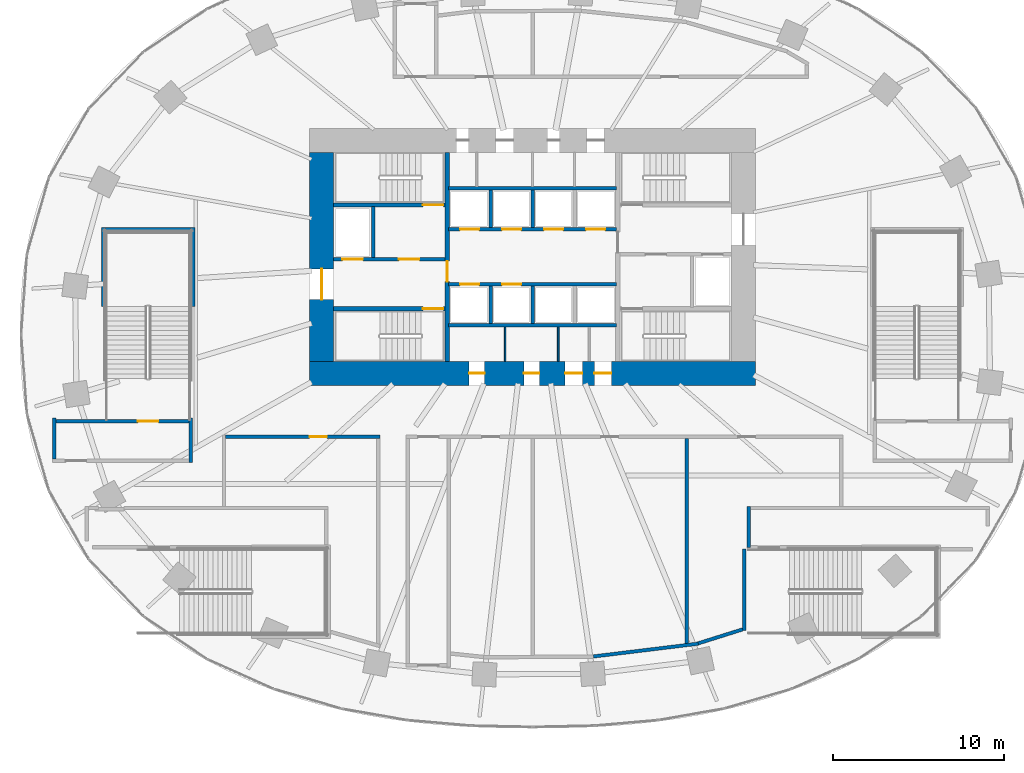
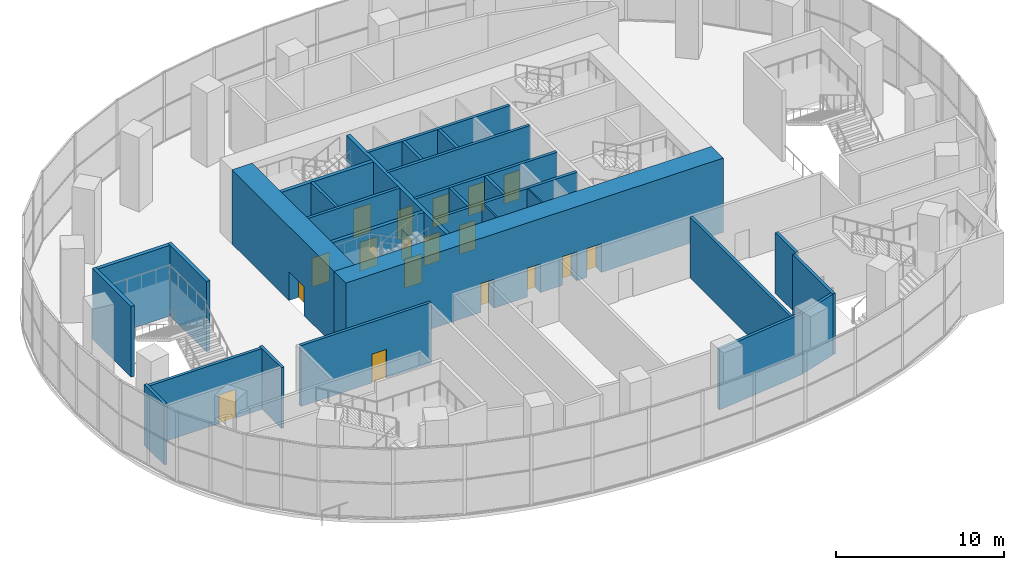
# One storey, part 12 of 20: 29 walls, 18 doors, 18 openings.
"""IFC4 building model written with IfcOpenShell, lengths in metres."""

import ifcopenshell
import ifcopenshell.guid

model = None  # the IFC model being written
_history = None  # IfcOwnerHistory: only IFC2X3 demands one
_inside = {}  # id of a spatial element -> (the spatial element, [elements in it])
_under = {}  # id of a project, library or spatial element -> (it, [spatial elements below it])
_declared = {}  # id of a project -> (the project, [libraries it declares])
_typed = {}  # id of a type object -> (the type object, [elements of that type])
_made_of = {}  # id of a material, layer set ... -> (it, [elements and type objects made of it])


def new_model(schema):
    """Start an empty IFC model of exactly this schema.

    Asked for "IFC4X3", IfcOpenShell would pick the latest addendum, in which some entities
    have other attributes; the version numbers below select the first issue.
    IFC2X3 requires an IfcOwnerHistory on every rooted entity: one is made here for all.
    """
    global model, _history
    if schema == "IFC4X3":
        model = ifcopenshell.file(schema_version=(4, 3, 0, 0))
    else:
        model = ifcopenshell.file(schema=schema)
    _inside.clear()
    _under.clear()
    _declared.clear()
    _typed.clear()
    _made_of.clear()
    _history = None
    if model.schema == "IFC2X3":
        org = make("IfcOrganization", Name="unknown")
        user = make(
            "IfcPersonAndOrganization",
            ThePerson=make("IfcPerson", FamilyName="unknown"),
            TheOrganization=org,
        )
        app = make(
            "IfcApplication",
            ApplicationDeveloper=org,
            Version="unknown",
            ApplicationFullName="unknown",
            ApplicationIdentifier="unknown",
        )
        _history = make(
            "IfcOwnerHistory",
            OwningUser=user,
            OwningApplication=app,
            ChangeAction="ADDED",
            CreationDate=0,
        )
    return model


def make(cls, **values):
    """One entity of the class cls with the attributes given. An attribute that is None is left unset."""
    return model.create_entity(
        cls, **{name: value for name, value in values.items() if value is not None}
    )


def rooted(cls, **values):
    """An entity with a GlobalId (a new one), such as an element, a storey or a relation."""
    return make(cls, GlobalId=ifcopenshell.guid.new(), OwnerHistory=_history, **values)


def si_unit(unit_type, name, prefix=None):
    """IfcSIUnit, for example si_unit("LENGTHUNIT", "METRE", prefix="MILLI")."""
    return make("IfcSIUnit", UnitType=unit_type, Prefix=prefix, Name=name)


def assignment(units):
    """IfcUnitAssignment: the units of a project."""
    return None if units is None else make("IfcUnitAssignment", Units=units)


def point(xyz):
    """IfcCartesianPoint."""
    return None if xyz is None else make("IfcCartesianPoint", Coordinates=xyz)


def direction(xyz):
    """IfcDirection."""
    return None if xyz is None else make("IfcDirection", DirectionRatios=xyz)


def frame(location, z_axis=None, x_axis=None):
    """IfcAxis2Placement3D, a coordinate frame: its origin and axes. An axis left out is left unset."""
    return make(
        "IfcAxis2Placement3D",
        Location=point(location),
        Axis=direction(z_axis),
        RefDirection=direction(x_axis),
    )


def frame_2d(location, x_axis=None):
    """IfcAxis2Placement2D, a coordinate frame in the plane: its origin and x axis."""
    return make(
        "IfcAxis2Placement2D", Location=point(location), RefDirection=direction(x_axis)
    )


def origin():
    """The frame at (0, 0, 0) with its axes left unset."""
    return frame((0.0, 0.0, 0.0))


def place(relative_to, where):
    """IfcLocalPlacement: puts the frame where relative to a parent placement (None: the world)."""
    return make(
        "IfcLocalPlacement", PlacementRelTo=relative_to, RelativePlacement=where
    )


def context(
    kind, dimensions, precision=None, world=None, true_north=None, identifier=None
):
    """IfcGeometricRepresentationContext, for example the 3D "Model" context."""
    return make(
        "IfcGeometricRepresentationContext",
        ContextIdentifier=identifier,
        ContextType=kind,
        CoordinateSpaceDimension=dimensions,
        Precision=precision,
        WorldCoordinateSystem=world,
        TrueNorth=true_north,
    )


def subcontext(parent, identifier, kind, view, scale=None):
    """IfcGeometricRepresentationSubContext, for example "Body" below "Model"."""
    return make(
        "IfcGeometricRepresentationSubContext",
        ContextIdentifier=identifier,
        ContextType=kind,
        ParentContext=parent,
        TargetScale=scale,
        TargetView=view,
    )


def project(units=None, contexts=None):
    """IfcProject with its units and contexts."""
    return rooted(
        "IfcProject",
        Name="project",
        RepresentationContexts=contexts,
        UnitsInContext=assignment(units),
    )


def spatial(cls, under=None, at=None, **own):
    """A site, building, storey or space (cls), placed at a placement, below another one or the project."""
    s = rooted(cls, ObjectPlacement=at, **own)
    if under is not None:
        _under.setdefault(under.id(), (under, []))[1].append(s)
    return s


def profile(cls, at=None, kind="AREA", **sizes):
    """A parametric profile (cls). Its sizes go by their IFC names, for example OverallWidth=200.0."""
    return make(cls, ProfileType=kind, Position=at, **sizes)


def rectangle(**sizes):
    """IfcRectangleProfileDef."""
    return profile("IfcRectangleProfileDef", **sizes)


def extrude(swept, where, along, depth):
    """IfcExtrudedAreaSolid: the profile swept, set in the frame where, extruded along a direction by depth."""
    return make(
        "IfcExtrudedAreaSolid",
        SweptArea=swept,
        Position=where,
        ExtrudedDirection=direction(along),
        Depth=depth,
    )


def shape(context_of_items, identifier, shape_type, items):
    """IfcShapeRepresentation: the items that make up one representation, for example the "Body"."""
    return make(
        "IfcShapeRepresentation",
        ContextOfItems=context_of_items,
        RepresentationIdentifier=identifier,
        RepresentationType=shape_type,
        Items=items,
    )


def material(Name=None, Category=None):
    """IfcMaterial."""
    return make("IfcMaterial", Name=Name, Category=Category)


def layer(
    of_material, thickness, ventilated=None, Name=None, Category=None, Priority=None
):
    """IfcMaterialLayer: one layer of a wall or slab, of a material (None: an air gap)."""
    return make(
        "IfcMaterialLayer",
        Material=of_material,
        LayerThickness=thickness,
        IsVentilated=ventilated,
        Name=Name,
        Category=Category,
        Priority=Priority,
    )


def layer_set(layers, Name=None):
    """IfcMaterialLayerSet."""
    return make("IfcMaterialLayerSet", MaterialLayers=layers, LayerSetName=Name)


def made_of(thing, what):
    """Note that an element or type object is made of a material, layer set ...; save() writes the relation."""
    if what is not None:
        _made_of.setdefault(what.id(), (what, []))[1].append(thing)
    return thing


def type_object(cls, material=None, **own):
    """A type object (cls), such as IfcWallType, which elements share."""
    return made_of(rooted(cls, **own), material)


def element(
    cls,
    number,
    at=None,
    inside=None,
    cuts=None,
    type_object=None,
    material=None,
    context=None,
    identifier="Body",
    shape_type=None,
    held_by="IfcProductDefinitionShape",
    body=None,
    shapes=None,
    **own,
):
    """One element of the class cls, such as IfcWall. Its Tag is "e" and its number.

    at: its placement. inside: the storey or other place that contains it. cuts: it is an
    opening in that element (IfcRelVoidsElement). A single representation is given by context,
    identifier, shape_type and body (its items); several are given by shapes. held_by: the class
    of the entity that holds the representations. save() writes the other relations.
    """
    e = rooted(cls, Tag="e%d" % number, ObjectPlacement=at, **own)
    if body is not None:
        shapes = [shape(context, identifier, shape_type, body)]
    if shapes is not None:
        e.Representation = make(held_by, Representations=shapes)
    if inside is not None:
        _inside.setdefault(inside.id(), (inside, []))[1].append(e)
    if cuts is not None:
        rooted(
            "IfcRelVoidsElement", RelatingBuildingElement=cuts, RelatedOpeningElement=e
        )
    if type_object is not None:
        _typed.setdefault(type_object.id(), (type_object, []))[1].append(e)
    return made_of(e, material)


def fill(opening, filler):
    """IfcRelFillsElement: the door or window that sits in an opening."""
    return rooted(
        "IfcRelFillsElement",
        RelatingOpeningElement=opening,
        RelatedBuildingElement=filler,
    )


def aggregate(whole, parts):
    """IfcRelAggregates: a whole, such as a stair, and the parts it consists of."""
    return rooted("IfcRelAggregates", RelatingObject=whole, RelatedObjects=parts)


def save(model, path):
    """Write the relations noted so far, then the file.

    IfcRelAggregates (storeys below a building ...), IfcRelContainedInSpatialStructure (elements
    in a storey), IfcRelDefinesByType, IfcRelAssociatesMaterial and IfcRelDeclares: one each for
    every whole, place, type object, material and project.
    """
    for whole, parts in _under.values():
        aggregate(whole, parts)
    for where, things in _inside.values():
        rooted(
            "IfcRelContainedInSpatialStructure",
            RelatedElements=things,
            RelatingStructure=where,
        )
    for kind, things in _typed.values():
        rooted("IfcRelDefinesByType", RelatedObjects=things, RelatingType=kind)
    for what, things in _made_of.values():
        rooted("IfcRelAssociatesMaterial", RelatedObjects=things, RelatingMaterial=what)
    for by, libraries in _declared.values():
        rooted("IfcRelDeclares", RelatingContext=by, RelatedDefinitions=libraries)
    model.write(path)


model = new_model("IFC4")

# Units and contexts
model_context = context("Model", 3, precision=1e-05, world=origin(), true_north=direction((0.0, 1.0)))
body_context = subcontext(model_context, "Body", "Model", "MODEL_VIEW")
ifc_project = project(units=[si_unit("LENGTHUNIT", "METRE"), si_unit("AREAUNIT", "SQUARE_METRE"), si_unit("VOLUMEUNIT", "CUBIC_METRE"), si_unit("PLANEANGLEUNIT", "RADIAN"), si_unit("MASSUNIT", "GRAM", prefix="KILO")], contexts=[model_context])

# Site, building, storey
site_placement = place(None, origin())
site = spatial("IfcSite", under=ifc_project, at=site_placement, CompositionType="ELEMENT")
building_placement = place(site_placement, origin())
building = spatial("IfcBuilding", under=site, at=building_placement, Name="Rubra Terraces Tower", CompositionType="ELEMENT")
storey_placement = place(building_placement, frame((0.0, 0.0, 22.800048828125)))
storey = spatial("IfcBuildingStorey", under=building, at=storey_placement, Name="L03", CompositionType="ELEMENT", Elevation=22.800048828125)

# Wall, openings, doors
ifc_material_1 = material(Name="Concrete C70", Category="concrete")
ifc_layer_1 = layer(ifc_material_1, 1.39990234375)
ifc_layer_set_1 = layer_set([ifc_layer_1], Name="Concrete C70")
wall_type_1 = type_object("IfcWallType", Name="CORE WALL 1400 C70", PredefinedType="SHEAR", material=ifc_layer_set_1)
wall_1_placement = place(storey_placement, frame((-13.0, -2.300048828125, 0.0), z_axis=(0.0, 0.0, 1.0), x_axis=(1.0, 0.0, 0.0)))
wall_1 = element("IfcWall", 1, at=wall_1_placement, inside=storey, type_object=wall_type_1, Name="CORE WALL S L03", PredefinedType="SHEAR", context=body_context, shape_type="SweptSolid", body=[
    extrude(rectangle(XDim=26.0, YDim=1.39990234375, at=frame_2d((13.0, 0.0))), origin(), (0.0, 0.0, 1.0), 5.39990234375),
])
opening_1_placement = place(wall_1_placement, frame((9.300048828125, 0.0, 0.0)))
opening_1 = element("IfcOpeningElement", 2, at=opening_1_placement, cuts=wall_1, Name="Opening L03.C19", PredefinedType="OPENING", context=body_context, shape_type="SweptSolid", body=[
    extrude(rectangle(XDim=0.89990234375, YDim=2.10009765625, at=frame_2d((0.449951171875, 1.050048828125))), frame((0.0, 0.7099609375, 0.0), z_axis=(0.0, -1.0, 0.0), x_axis=(1.0, 0.0, 0.0)), (0.0, 0.0, 1.0), 1.419921875),
])
opening_2_placement = place(wall_1_placement, frame((12.5, 0.0, 0.0)))
opening_2 = element("IfcOpeningElement", 3, at=opening_2_placement, cuts=wall_1, Name="Opening L03.C20", PredefinedType="OPENING", context=body_context, shape_type="SweptSolid", body=[
    extrude(rectangle(XDim=0.89990234375, YDim=2.10009765625, at=frame_2d((0.449951171875, 1.050048828125))), frame((0.0, 0.7099609375, 0.0), z_axis=(0.0, -1.0, 0.0), x_axis=(1.0, 0.0, 0.0)), (0.0, 0.0, 1.0), 1.419921875),
])
opening_3_placement = place(wall_1_placement, frame((14.89990234375, 0.0, 0.0)))
opening_3 = element("IfcOpeningElement", 4, at=opening_3_placement, cuts=wall_1, Name="Opening L03.C21", PredefinedType="OPENING", context=body_context, shape_type="SweptSolid", body=[
    extrude(rectangle(XDim=1.0, YDim=2.10009765625, at=frame_2d((0.5, 1.050048828125))), frame((0.0, 0.7099609375, 0.0), z_axis=(0.0, -1.0, 0.0), x_axis=(1.0, 0.0, 0.0)), (0.0, 0.0, 1.0), 1.419921875),
])
opening_4_placement = place(wall_1_placement, frame((16.60009765625, 0.0, 0.0)))
opening_4 = element("IfcOpeningElement", 5, at=opening_4_placement, cuts=wall_1, Name="Opening L03.C22", PredefinedType="OPENING", context=body_context, shape_type="SweptSolid", body=[
    extrude(rectangle(XDim=1.0, YDim=2.10009765625, at=frame_2d((0.5, 1.050048828125))), frame((0.0, 0.7099609375, 0.0), z_axis=(0.0, -1.0, 0.0), x_axis=(1.0, 0.0, 0.0)), (0.0, 0.0, 1.0), 1.419921875),
])
ifc_material_2 = material(Name="Painted steel", Category="steel")
door_type_1 = type_object("IfcDoorType", Name="Fire door 1000x2100 single", OperationType="NOTDEFINED", PredefinedType="DOOR", material=ifc_material_2)
door_1_placement = place(opening_3_placement, origin())
door_1 = element("IfcDoor", 6, at=door_1_placement, inside=storey, type_object=door_type_1, Name="Accessible WC door", OperationType="SINGLE_SWING_LEFT", OverallHeight=2.10009765625, OverallWidth=1.0, PredefinedType="DOOR", context=body_context, shape_type="SweptSolid", body=[
    extrude(rectangle(XDim=1.0, YDim=2.10009765625, at=frame_2d((0.5, 1.050048828125))), frame((0.0, 0.02490234375, 0.0), z_axis=(0.0, -1.0, 0.0), x_axis=(1.0, 0.0, 0.0)), (0.0, 0.0, 1.0), 0.050048828125),
])
fill(opening_3, door_1)
door_2_placement = place(opening_4_placement, origin())
door_2 = element("IfcDoor", 7, at=door_2_placement, inside=storey, type_object=door_type_1, Name="General store door", OperationType="SINGLE_SWING_RIGHT", OverallHeight=2.10009765625, OverallWidth=1.0, PredefinedType="DOOR", context=body_context, shape_type="SweptSolid", body=[
    extrude(rectangle(XDim=1.0, YDim=2.10009765625, at=frame_2d((0.5, 1.050048828125))), frame((0.0, 0.02490234375, 0.0), z_axis=(0.0, -1.0, 0.0), x_axis=(1.0, 0.0, 0.0)), (0.0, 0.0, 1.0), 0.050048828125),
])
fill(opening_4, door_2)
door_type_2 = type_object("IfcDoorType", Name="Fire door 900x2100 single", OperationType="NOTDEFINED", PredefinedType="DOOR", material=ifc_material_2)
door_3_placement = place(opening_1_placement, origin())
door_3 = element("IfcDoor", 8, at=door_3_placement, inside=storey, type_object=door_type_2, Name="Ladies WC door", OperationType="SINGLE_SWING_LEFT", OverallHeight=2.10009765625, OverallWidth=0.89990234375, PredefinedType="DOOR", context=body_context, shape_type="SweptSolid", body=[
    extrude(rectangle(XDim=0.89990234375, YDim=2.10009765625, at=frame_2d((0.449951171875, 1.050048828125))), frame((0.0, 0.02490234375, 0.0), z_axis=(0.0, -1.0, 0.0), x_axis=(1.0, 0.0, 0.0)), (0.0, 0.0, 1.0), 0.050048828125),
])
fill(opening_1, door_3)
door_4_placement = place(opening_2_placement, origin())
door_4 = element("IfcDoor", 9, at=door_4_placement, inside=storey, type_object=door_type_2, Name="Gents WC door", OperationType="SINGLE_SWING_RIGHT", OverallHeight=2.10009765625, OverallWidth=0.89990234375, PredefinedType="DOOR", context=body_context, shape_type="SweptSolid", body=[
    extrude(rectangle(XDim=0.89990234375, YDim=2.10009765625, at=frame_2d((0.449951171875, 1.050048828125))), frame((0.0, 0.02490234375, 0.0), z_axis=(0.0, -1.0, 0.0), x_axis=(1.0, 0.0, 0.0)), (0.0, 0.0, 1.0), 0.050048828125),
])
fill(opening_2, door_4)

# Wall, opening, door
wall_2_placement = place(storey_placement, frame((-12.300048828125, -1.60009765625, 0.0), z_axis=(0.0, 0.0, 1.0), x_axis=(0.0, 1.0, 0.0)))
wall_2 = element("IfcWall", 10, at=wall_2_placement, inside=storey, type_object=wall_type_1, Name="CORE WALL W L03", PredefinedType="SHEAR", context=body_context, shape_type="SweptSolid", body=[
    extrude(rectangle(XDim=12.2001953125, YDim=1.39990234375, at=frame_2d((6.10009765625, 0.0))), origin(), (0.0, 0.0, 1.0), 5.39990234375),
])
opening_5_placement = place(wall_2_placement, frame((3.60009765625, 0.0, 0.0)))
opening_5 = element("IfcOpeningElement", 11, at=opening_5_placement, cuts=wall_2, Name="Opening L03.C01", PredefinedType="OPENING", context=body_context, shape_type="SweptSolid", body=[
    extrude(rectangle(XDim=1.800048828125, YDim=2.10009765625, at=frame_2d((0.89990234375, 1.050048828125))), frame((0.0, 0.7099609375, 0.0), z_axis=(0.0, -1.0, 0.0), x_axis=(1.0, 0.0, 0.0)), (0.0, 0.0, 1.0), 1.419921875),
])
door_type_3 = type_object("IfcDoorType", Name="Fire door 1800x2100 double", OperationType="NOTDEFINED", PredefinedType="DOOR", material=ifc_material_2)
door_5_placement = place(opening_5_placement, origin())
door_5 = element("IfcDoor", 12, at=door_5_placement, inside=storey, type_object=door_type_3, Name="Core entrance door FF1", OperationType="DOUBLE_DOOR_SINGLE_SWING", OverallHeight=2.10009765625, OverallWidth=1.800048828125, PredefinedType="DOOR", context=body_context, shape_type="SweptSolid", body=[
    extrude(rectangle(XDim=1.800048828125, YDim=2.10009765625, at=frame_2d((0.89990234375, 1.050048828125))), frame((0.0, 0.02490234375, 0.0), z_axis=(0.0, -1.0, 0.0), x_axis=(1.0, 0.0, 0.0)), (0.0, 0.0, 1.0), 0.050048828125),
])
fill(opening_5, door_5)

# Wall, openings, doors
ifc_material_3 = material(Name="Concrete C30", Category="concrete")
ifc_layer_2 = layer(ifc_material_3, 0.199951171875)
ifc_layer_set_2 = layer_set([ifc_layer_2], Name="Concrete C30")
wall_type_2 = type_object("IfcWallType", Name="Core wall 200 concrete", PredefinedType="SOLIDWALL", material=ifc_layer_set_2)
wall_3_placement = place(storey_placement, frame((-11.60009765625, 4.35009765625, 0.0), z_axis=(0.0, 0.0, 1.0), x_axis=(1.0, 0.0, 0.0)))
wall_3 = element("IfcWall", 13, at=wall_3_placement, inside=storey, type_object=wall_type_2, Name="STAIR WALL L03", PredefinedType="SOLIDWALL", context=body_context, shape_type="SweptSolid", body=[
    extrude(rectangle(XDim=6.5, YDim=0.199951171875, at=frame_2d((3.25, 0.0))), origin(), (0.0, 0.0, 1.0), 5.14990234375),
])
opening_6_placement = place(wall_3_placement, frame((3.800048828125, 0.0, 0.0)))
opening_6 = element("IfcOpeningElement", 14, at=opening_6_placement, cuts=wall_3, Name="Opening L03.C05", PredefinedType="OPENING", context=body_context, shape_type="SweptSolid", body=[
    extrude(rectangle(XDim=1.199951171875, YDim=2.10009765625, at=frame_2d((0.60009765625, 1.050048828125))), frame((0.0, 0.10986328125, 0.0), z_axis=(0.0, -1.0, 0.0), x_axis=(1.0, 0.0, 0.0)), (0.0, 0.0, 1.0), 0.219970703125),
])
opening_7_placement = place(wall_3_placement, frame((0.5, 0.0, 0.0)))
opening_7 = element("IfcOpeningElement", 15, at=opening_7_placement, cuts=wall_3, Name="Opening L03.C11", PredefinedType="OPENING", context=body_context, shape_type="SweptSolid", body=[
    extrude(rectangle(XDim=1.199951171875, YDim=2.10009765625, at=frame_2d((0.60009765625, 1.050048828125))), frame((0.0, 0.10986328125, 0.0), z_axis=(0.0, -1.0, 0.0), x_axis=(1.0, 0.0, 0.0)), (0.0, 0.0, 1.0), 0.219970703125),
])
door_type_4 = type_object("IfcDoorType", Name="Fire door 1200x2100 single", OperationType="NOTDEFINED", PredefinedType="DOOR", material=ifc_material_2)
door_6_placement = place(opening_6_placement, origin())
door_6 = element("IfcDoor", 16, at=door_6_placement, inside=storey, type_object=door_type_4, Name="Stair vestibule door S2", OperationType="SINGLE_SWING_LEFT", OverallHeight=2.10009765625, OverallWidth=1.199951171875, PredefinedType="DOOR", context=body_context, shape_type="SweptSolid", body=[
    extrude(rectangle(XDim=1.199951171875, YDim=2.10009765625, at=frame_2d((0.60009765625, 1.050048828125))), frame((0.0, 0.02490234375, 0.0), z_axis=(0.0, -1.0, 0.0), x_axis=(1.0, 0.0, 0.0)), (0.0, 0.0, 1.0), 0.050048828125),
])
fill(opening_6, door_6)
ifc_material_4 = material(Name="Stainless steel", Category="steel")
door_type_5 = type_object("IfcDoorType", Name="Lift landing door 1200x2100", OperationType="NOTDEFINED", PredefinedType="DOOR", material=ifc_material_4)
door_7_placement = place(opening_7_placement, origin())
door_7 = element("IfcDoor", 17, at=door_7_placement, inside=storey, type_object=door_type_5, Name="Landing door FF1", OperationType="SLIDING_TO_RIGHT", OverallHeight=2.10009765625, OverallWidth=1.199951171875, PredefinedType="DOOR", context=body_context, shape_type="SweptSolid", body=[
    extrude(rectangle(XDim=1.199951171875, YDim=2.10009765625, at=frame_2d((0.60009765625, 1.050048828125))), frame((0.0, 0.02490234375, 0.0), z_axis=(0.0, -1.0, 0.0), x_axis=(1.0, 0.0, 0.0)), (0.0, 0.0, 1.0), 0.050048828125),
])
fill(opening_7, door_7)

# Walls
wall_4_placement = place(storey_placement, frame((-9.300048828125, 4.449951171875, 0.0), z_axis=(0.0, 0.0, 1.0), x_axis=(0.0, 1.0, 0.0)))
element("IfcWall", 18, at=wall_4_placement, inside=storey, type_object=wall_type_2, Name="STAIR WALL L03", PredefinedType="SOLIDWALL", context=body_context, shape_type="SweptSolid", body=[
    extrude(rectangle(XDim=3.0, YDim=0.199951171875, at=frame_2d((1.5, 0.0))), origin(), (0.0, 0.0, 1.0), 5.14990234375),
])
wall_5_placement = place(storey_placement, frame((-4.89990234375, 0.5, 0.0), z_axis=(0.0, 0.0, 1.0), x_axis=(1.0, 0.0, 0.0)))
element("IfcWall", 19, at=wall_5_placement, inside=storey, type_object=wall_type_2, Name="LIFT SHAFT WALL L03", PredefinedType="SOLIDWALL", context=body_context, shape_type="SweptSolid", body=[
    extrude(rectangle(XDim=9.7998046875, YDim=0.199951171875, at=frame_2d((4.89990234375, 0.0))), origin(), (0.0, 0.0, 1.0), 5.14990234375),
])

# Wall, openings, doors
wall_6_placement = place(storey_placement, frame((-4.89990234375, 2.89990234375, 0.0), z_axis=(0.0, 0.0, 1.0), x_axis=(1.0, 0.0, 0.0)))
wall_6 = element("IfcWall", 20, at=wall_6_placement, inside=storey, type_object=wall_type_2, Name="LIFT SHAFT WALL L03", PredefinedType="SOLIDWALL", context=body_context, shape_type="SweptSolid", body=[
    extrude(rectangle(XDim=9.7998046875, YDim=0.199951171875, at=frame_2d((4.89990234375, 0.0))), origin(), (0.0, 0.0, 1.0), 5.14990234375),
])
opening_8_placement = place(wall_6_placement, frame((0.675048828125, 0.0, 0.0)))
opening_8 = element("IfcOpeningElement", 21, at=opening_8_placement, cuts=wall_6, Name="Opening L03.C13", PredefinedType="OPENING", context=body_context, shape_type="SweptSolid", body=[
    extrude(rectangle(XDim=1.10009765625, YDim=2.10009765625, at=frame_2d((0.550048828125, 1.050048828125))), frame((0.0, 0.10986328125, 0.0), z_axis=(0.0, -1.0, 0.0), x_axis=(1.0, 0.0, 0.0)), (0.0, 0.0, 1.0), 0.219970703125),
])
opening_9_placement = place(wall_6_placement, frame((3.125, 0.0, 0.0)))
opening_9 = element("IfcOpeningElement", 22, at=opening_9_placement, cuts=wall_6, Name="Opening L03.C14", PredefinedType="OPENING", context=body_context, shape_type="SweptSolid", body=[
    extrude(rectangle(XDim=1.10009765625, YDim=2.10009765625, at=frame_2d((0.550048828125, 1.050048828125))), frame((0.0, 0.10986328125, 0.0), z_axis=(0.0, -1.0, 0.0), x_axis=(1.0, 0.0, 0.0)), (0.0, 0.0, 1.0), 0.219970703125),
])
door_type_6 = type_object("IfcDoorType", Name="Lift landing door 1100x2100", OperationType="NOTDEFINED", PredefinedType="DOOR", material=ifc_material_4)
door_8_placement = place(opening_8_placement, origin())
door_8 = element("IfcDoor", 23, at=door_8_placement, inside=storey, type_object=door_type_6, Name="Landing door LB1", OperationType="SLIDING_TO_RIGHT", OverallHeight=2.10009765625, OverallWidth=1.10009765625, PredefinedType="DOOR", context=body_context, shape_type="SweptSolid", body=[
    extrude(rectangle(XDim=1.10009765625, YDim=2.10009765625, at=frame_2d((0.550048828125, 1.050048828125))), frame((0.0, 0.02490234375, 0.0), z_axis=(0.0, -1.0, 0.0), x_axis=(1.0, 0.0, 0.0)), (0.0, 0.0, 1.0), 0.050048828125),
])
fill(opening_8, door_8)
door_9_placement = place(opening_9_placement, origin())
door_9 = element("IfcDoor", 24, at=door_9_placement, inside=storey, type_object=door_type_6, Name="Landing door LB2", OperationType="SLIDING_TO_LEFT", OverallHeight=2.10009765625, OverallWidth=1.10009765625, PredefinedType="DOOR", context=body_context, shape_type="SweptSolid", body=[
    extrude(rectangle(XDim=1.10009765625, YDim=2.10009765625, at=frame_2d((0.550048828125, 1.050048828125))), frame((0.0, 0.02490234375, 0.0), z_axis=(0.0, -1.0, 0.0), x_axis=(1.0, 0.0, 0.0)), (0.0, 0.0, 1.0), 0.050048828125),
])
fill(opening_9, door_9)

wall_7_placement = place(storey_placement, frame((-4.89990234375, 6.10009765625, 0.0), z_axis=(0.0, 0.0, 1.0), x_axis=(1.0, 0.0, 0.0)))
wall_7 = element("IfcWall", 25, at=wall_7_placement, inside=storey, type_object=wall_type_2, Name="LIFT SHAFT WALL L03", PredefinedType="SOLIDWALL", context=body_context, shape_type="SweptSolid", body=[
    extrude(rectangle(XDim=9.7998046875, YDim=0.199951171875, at=frame_2d((4.89990234375, 0.0))), origin(), (0.0, 0.0, 1.0), 5.14990234375),
])
opening_10_placement = place(wall_7_placement, frame((0.675048828125, 0.0, 0.0)))
opening_10 = element("IfcOpeningElement", 26, at=opening_10_placement, cuts=wall_7, Name="Opening L03.C15", PredefinedType="OPENING", context=body_context, shape_type="SweptSolid", body=[
    extrude(rectangle(XDim=1.10009765625, YDim=2.10009765625, at=frame_2d((0.550048828125, 1.050048828125))), frame((0.0, 0.10986328125, 0.0), z_axis=(0.0, -1.0, 0.0), x_axis=(1.0, 0.0, 0.0)), (0.0, 0.0, 1.0), 0.219970703125),
])
opening_11_placement = place(wall_7_placement, frame((3.125, 0.0, 0.0)))
opening_11 = element("IfcOpeningElement", 27, at=opening_11_placement, cuts=wall_7, Name="Opening L03.C16", PredefinedType="OPENING", context=body_context, shape_type="SweptSolid", body=[
    extrude(rectangle(XDim=1.10009765625, YDim=2.10009765625, at=frame_2d((0.550048828125, 1.050048828125))), frame((0.0, 0.10986328125, 0.0), z_axis=(0.0, -1.0, 0.0), x_axis=(1.0, 0.0, 0.0)), (0.0, 0.0, 1.0), 0.219970703125),
])
opening_12_placement = place(wall_7_placement, frame((5.574951171875, 0.0, 0.0)))
opening_12 = element("IfcOpeningElement", 28, at=opening_12_placement, cuts=wall_7, Name="Opening L03.C17", PredefinedType="OPENING", context=body_context, shape_type="SweptSolid", body=[
    extrude(rectangle(XDim=1.10009765625, YDim=2.10009765625, at=frame_2d((0.550048828125, 1.050048828125))), frame((0.0, 0.10986328125, 0.0), z_axis=(0.0, -1.0, 0.0), x_axis=(1.0, 0.0, 0.0)), (0.0, 0.0, 1.0), 0.219970703125),
])
opening_13_placement = place(wall_7_placement, frame((8.02490234375, 0.0, 0.0)))
opening_13 = element("IfcOpeningElement", 29, at=opening_13_placement, cuts=wall_7, Name="Opening L03.C18", PredefinedType="OPENING", context=body_context, shape_type="SweptSolid", body=[
    extrude(rectangle(XDim=1.10009765625, YDim=2.10009765625, at=frame_2d((0.550048828125, 1.050048828125))), frame((0.0, 0.10986328125, 0.0), z_axis=(0.0, -1.0, 0.0), x_axis=(1.0, 0.0, 0.0)), (0.0, 0.0, 1.0), 0.219970703125),
])
door_10_placement = place(opening_10_placement, origin())
door_10 = element("IfcDoor", 30, at=door_10_placement, inside=storey, type_object=door_type_6, Name="Landing door LB3", OperationType="SLIDING_TO_RIGHT", OverallHeight=2.10009765625, OverallWidth=1.10009765625, PredefinedType="DOOR", context=body_context, shape_type="SweptSolid", body=[
    extrude(rectangle(XDim=1.10009765625, YDim=2.10009765625, at=frame_2d((0.550048828125, 1.050048828125))), frame((0.0, 0.02490234375, 0.0), z_axis=(0.0, -1.0, 0.0), x_axis=(1.0, 0.0, 0.0)), (0.0, 0.0, 1.0), 0.050048828125),
])
fill(opening_10, door_10)
door_11_placement = place(opening_11_placement, origin())
door_11 = element("IfcDoor", 31, at=door_11_placement, inside=storey, type_object=door_type_6, Name="Landing door LB4", OperationType="SLIDING_TO_LEFT", OverallHeight=2.10009765625, OverallWidth=1.10009765625, PredefinedType="DOOR", context=body_context, shape_type="SweptSolid", body=[
    extrude(rectangle(XDim=1.10009765625, YDim=2.10009765625, at=frame_2d((0.550048828125, 1.050048828125))), frame((0.0, 0.02490234375, 0.0), z_axis=(0.0, -1.0, 0.0), x_axis=(1.0, 0.0, 0.0)), (0.0, 0.0, 1.0), 0.050048828125),
])
fill(opening_11, door_11)
door_12_placement = place(opening_12_placement, origin())
door_12 = element("IfcDoor", 32, at=door_12_placement, inside=storey, type_object=door_type_6, Name="Landing door LB5", OperationType="SLIDING_TO_RIGHT", OverallHeight=2.10009765625, OverallWidth=1.10009765625, PredefinedType="DOOR", context=body_context, shape_type="SweptSolid", body=[
    extrude(rectangle(XDim=1.10009765625, YDim=2.10009765625, at=frame_2d((0.550048828125, 1.050048828125))), frame((0.0, 0.02490234375, 0.0), z_axis=(0.0, -1.0, 0.0), x_axis=(1.0, 0.0, 0.0)), (0.0, 0.0, 1.0), 0.050048828125),
])
fill(opening_12, door_12)
door_13_placement = place(opening_13_placement, origin())
door_13 = element("IfcDoor", 33, at=door_13_placement, inside=storey, type_object=door_type_6, Name="Landing door LB6", OperationType="SLIDING_TO_LEFT", OverallHeight=2.10009765625, OverallWidth=1.10009765625, PredefinedType="DOOR", context=body_context, shape_type="SweptSolid", body=[
    extrude(rectangle(XDim=1.10009765625, YDim=2.10009765625, at=frame_2d((0.550048828125, 1.050048828125))), frame((0.0, 0.02490234375, 0.0), z_axis=(0.0, -1.0, 0.0), x_axis=(1.0, 0.0, 0.0)), (0.0, 0.0, 1.0), 0.050048828125),
])
fill(opening_13, door_13)

# Walls
wall_8_placement = place(storey_placement, frame((-4.89990234375, 8.5, 0.0), z_axis=(0.0, 0.0, 1.0), x_axis=(1.0, 0.0, 0.0)))
element("IfcWall", 34, at=wall_8_placement, inside=storey, type_object=wall_type_2, Name="LIFT SHAFT WALL L03", PredefinedType="SOLIDWALL", context=body_context, shape_type="SweptSolid", body=[
    extrude(rectangle(XDim=9.7998046875, YDim=0.199951171875, at=frame_2d((4.89990234375, 0.0))), origin(), (0.0, 0.0, 1.0), 5.14990234375),
])
for number, where, z_axis, x_axis, name in (
    (35, (-2.449951171875, 0.60009765625, 0.0), (0.0, 0.0, 1.0), (0.0, 1.0, 0.0), "LIFT SHAFT WALL L03"),
    (36, (0.0, 0.60009765625, 0.0), (0.0, 0.0, 1.0), (0.0, 1.0, 0.0), "LIFT SHAFT WALL L03"),
    (37, (-2.449951171875, 6.199951171875, 0.0), (0.0, 0.0, 1.0), (0.0, 1.0, 0.0), "LIFT SHAFT WALL L03"),
    (38, (0.0, 6.199951171875, 0.0), (0.0, 0.0, 1.0), (0.0, 1.0, 0.0), "LIFT SHAFT WALL L03"),
):
    element("IfcWall", number, at=place(storey_placement, frame(where, z_axis=z_axis, x_axis=x_axis)), inside=storey, type_object=wall_type_2, Name=name, PredefinedType="SOLIDWALL", context=body_context, shape_type="SweptSolid", body=[
        extrude(rectangle(XDim=2.199951171875, YDim=0.199951171875, at=frame_2d((1.10009765625, 0.0))), origin(), (0.0, 0.0, 1.0), 5.14990234375),
    ])
ifc_material_5 = material(Name="Blockwork", Category="masonry")
ifc_layer_3 = layer(ifc_material_5, 0.199951171875)
ifc_layer_set_3 = layer_set([ifc_layer_3], Name="Blockwork")
wall_type_3 = type_object("IfcWallType", Name="Corridor partition 200 blockwork", PredefinedType="PARTITIONING", material=ifc_layer_set_3)
wall_9_placement = place(storey_placement, frame((-19.949951171875, -4.89990234375, 0.0), z_axis=(0.0, 0.0, 1.0), x_axis=(0.0, -1.0, 0.0)))
element("IfcWall", 39, at=wall_9_placement, inside=storey, type_object=wall_type_3, Name="Partition wall", PredefinedType="PARTITIONING", context=body_context, shape_type="SweptSolid", body=[
    extrude(rectangle(XDim=2.60009765625, YDim=0.199951171875, at=frame_2d((1.300048828125, 0.0))), origin(), (0.0, 0.0, 1.0), 4.429931640625),
])
wall_10_placement = place(storey_placement, frame((-27.89990234375, -7.300048828125, 0.0), z_axis=(0.0, 0.0, 1.0), x_axis=(0.0, 1.0, 0.0)))
element("IfcWall", 40, at=wall_10_placement, inside=storey, type_object=wall_type_3, Name="Partition wall", PredefinedType="PARTITIONING", context=body_context, shape_type="SweptSolid", body=[
    extrude(rectangle(XDim=2.400146484375, YDim=0.199951171875, at=frame_2d((1.2001953125, 0.0))), origin(), (0.0, 0.0, 1.0), 4.429931640625),
])

# Wall, opening, door
wall_11_placement = place(storey_placement, frame((-27.800048828125, -5.10009765625, 0.0), z_axis=(0.0, 0.0, 1.0), x_axis=(1.0, 0.0, 0.0)))
wall_11 = element("IfcWall", 41, at=wall_11_placement, inside=storey, type_object=wall_type_3, Name="Partition wall", PredefinedType="PARTITIONING", context=body_context, shape_type="SweptSolid", body=[
    extrude(rectangle(XDim=7.75, YDim=0.199951171875, at=frame_2d((3.875, 0.0))), origin(), (0.0, 0.0, 1.0), 4.429931640625),
])
opening_14_placement = place(wall_11_placement, frame((4.77490234375, 0.0, 0.0)))
opening_14 = element("IfcOpeningElement", 42, at=opening_14_placement, cuts=wall_11, Name="Opening DB7", PredefinedType="OPENING", context=body_context, shape_type="SweptSolid", body=[
    extrude(rectangle(XDim=1.199951171875, YDim=2.10009765625, at=frame_2d((0.60009765625, 1.050048828125))), frame((0.0, 0.10986328125, 0.0), z_axis=(0.0, -1.0, 0.0), x_axis=(1.0, 0.0, 0.0)), (0.0, 0.0, 1.0), 0.219970703125),
])
ifc_material_6 = material(Name="Painted timber", Category="wood")
door_type_7 = type_object("IfcDoorType", Name="Door 1200x2100 single", OperationType="NOTDEFINED", PredefinedType="DOOR", material=ifc_material_6)
door_14_placement = place(opening_14_placement, origin())
door_14 = element("IfcDoor", 43, at=door_14_placement, inside=storey, type_object=door_type_7, Name="Stair door L03-05", OperationType="SINGLE_SWING_LEFT", OverallHeight=2.10009765625, OverallWidth=1.199951171875, PredefinedType="DOOR", context=body_context, shape_type="SweptSolid", body=[
    extrude(rectangle(XDim=1.199951171875, YDim=2.10009765625, at=frame_2d((0.60009765625, 1.050048828125))), frame((0.0, 0.02490234375, 0.0), z_axis=(0.0, -1.0, 0.0), x_axis=(1.0, 0.0, 0.0)), (0.0, 0.0, 1.0), 0.050048828125),
])
fill(opening_14, door_14)

# Wall
wall_12_placement = place(storey_placement, frame((12.60009765625, -12.449951171875, 0.0), z_axis=(0.0, 0.0, 1.0), x_axis=(0.0, 1.0, 0.0)))
element("IfcWall", 44, at=wall_12_placement, inside=storey, type_object=wall_type_3, Name="Partition wall", PredefinedType="PARTITIONING", context=body_context, shape_type="SweptSolid", body=[
    extrude(rectangle(XDim=2.39990234375, YDim=0.199951171875, at=frame_2d((1.199951171875, 0.0))), origin(), (0.0, 0.0, 1.0), 4.429931640625),
])

# Wall, opening, door
wall_13_placement = place(storey_placement, frame((-17.89990234375, -6.0, 0.0), z_axis=(0.0, 0.0, 1.0), x_axis=(1.0, 0.0, 0.0)))
wall_13 = element("IfcWall", 45, at=wall_13_placement, inside=storey, type_object=wall_type_3, Name="Partition wall", PredefinedType="PARTITIONING", context=body_context, shape_type="SweptSolid", body=[
    extrude(rectangle(XDim=9.0, YDim=0.199951171875, at=frame_2d((4.5, 0.0))), origin(), (0.0, 0.0, 1.0), 4.429931640625),
])
opening_15_placement = place(wall_13_placement, frame((4.89990234375, 0.0, 0.0)))
opening_15 = element("IfcOpeningElement", 46, at=opening_15_placement, cuts=wall_13, Name="Opening DB1", PredefinedType="OPENING", context=body_context, shape_type="SweptSolid", body=[
    extrude(rectangle(XDim=1.0, YDim=2.10009765625, at=frame_2d((0.5, 1.050048828125))), frame((0.0, 0.10986328125, 0.0), z_axis=(0.0, -1.0, 0.0), x_axis=(1.0, 0.0, 0.0)), (0.0, 0.0, 1.0), 0.219970703125),
])
door_type_8 = type_object("IfcDoorType", Name="Door 1000x2100 single", OperationType="NOTDEFINED", PredefinedType="DOOR", material=ifc_material_6)
door_15_placement = place(opening_15_placement, origin())
door_15 = element("IfcDoor", 47, at=door_15_placement, inside=storey, type_object=door_type_8, Name="Door L03-11", OperationType="SINGLE_SWING_LEFT", OverallHeight=2.10009765625, OverallWidth=1.0, PredefinedType="DOOR", context=body_context, shape_type="SweptSolid", body=[
    extrude(rectangle(XDim=1.0, YDim=2.10009765625, at=frame_2d((0.5, 1.050048828125))), frame((0.0, 0.02490234375, 0.0), z_axis=(0.0, -1.0, 0.0), x_axis=(1.0, 0.0, 0.0)), (0.0, 0.0, 1.0), 0.050048828125),
])
fill(opening_15, door_15)

# Walls
wall_14_placement = place(storey_placement, frame((9.6669921875, -18.06494140625, 0.0), z_axis=(0.0, 0.0, 1.0), x_axis=(-0.992636593244, -0.121130482347, 0.0)))
element("IfcWall", 48, at=wall_14_placement, inside=storey, type_object=wall_type_3, Name="Partition wall", PredefinedType="PARTITIONING", context=body_context, shape_type="SweptSolid", body=[
    extrude(rectangle(XDim=6.16748046875, YDim=0.199951171875, at=frame_2d((3.083740234375, 0.0))), origin(), (0.0, 0.0, 1.0), 4.429931640625),
])
wall_15_placement = place(storey_placement, frame((12.2548828125, -17.23095703125, 0.0), z_axis=(0.0, 0.0, 1.0), x_axis=(-0.953825419117, -0.300361565195, 0.0)))
element("IfcWall", 49, at=wall_15_placement, inside=storey, type_object=wall_type_3, Name="Partition wall", PredefinedType="PARTITIONING", context=body_context, shape_type="SweptSolid", body=[
    extrude(rectangle(XDim=2.71728515625, YDim=0.199951171875, at=frame_2d((1.358642578125, 0.0))), origin(), (0.0, 0.0, 1.0), 4.429931640625),
])
ifc_layer_4 = layer(ifc_material_5, 0.199951171875)
ifc_layer_set_4 = layer_set([ifc_layer_4], Name="Blockwork")
wall_type_4 = type_object("IfcWallType", Name="Room partition 200 blockwork", PredefinedType="PARTITIONING", material=ifc_layer_set_4)
wall_16_placement = place(storey_placement, frame((9.0, -6.10009765625, 0.0), z_axis=(0.0, 0.0, 1.0), x_axis=(0.0, -1.0, 0.0)))
element("IfcWall", 50, at=wall_16_placement, inside=storey, type_object=wall_type_4, Name="Partition wall", PredefinedType="PARTITIONING", context=body_context, shape_type="SweptSolid", body=[
    extrude(rectangle(XDim=11.94580078125, YDim=0.199951171875, at=frame_2d((5.972900390625, 0.0))), origin(), (0.0, 0.0, 1.0), 4.429931640625),
])
wall_17_placement = place(storey_placement, frame((12.35009765625, -12.550048828125, 0.0), z_axis=(0.0, 0.0, 1.0), x_axis=(0.0, -1.0, 0.0)))
element("IfcWall", 51, at=wall_17_placement, inside=storey, type_object=wall_type_4, Name="Partition wall", PredefinedType="PARTITIONING", context=body_context, shape_type="SweptSolid", body=[
    extrude(rectangle(XDim=4.7509765625, YDim=0.199951171875, at=frame_2d((2.37548828125, 0.0))), origin(), (0.0, 0.0, 1.0), 4.429931640625),
])
ifc_layer_5 = layer(ifc_material_5, 0.10009765625)
ifc_layer_set_5 = layer_set([ifc_layer_5], Name="Blockwork")
wall_type_5 = type_object("IfcWallType", Name="Service partition 100 blockwork", PredefinedType="PARTITIONING", material=ifc_layer_set_5)
for number, where, z_axis, x_axis, name in (
    (52, (-1.60009765625, -1.60009765625, 0.0), (0.0, 0.0, 1.0), (0.0, 1.0, 0.0), "SERVICE ROOM PARTITION L03"),
    (53, (1.5, -1.60009765625, 0.0), (0.0, 0.0, 1.0), (0.0, 1.0, 0.0), "SERVICE ROOM PARTITION L03"),
):
    element("IfcWall", number, at=place(storey_placement, frame(where, z_axis=z_axis, x_axis=x_axis)), inside=storey, type_object=wall_type_5, Name=name, PredefinedType="PARTITIONING", context=body_context, shape_type="SweptSolid", body=[
        extrude(rectangle(XDim=2.0, YDim=0.10009765625, at=frame_2d((1.0, 0.0))), origin(), (0.0, 0.0, 1.0), 5.14990234375),
    ])

# Wall, opening, door
ifc_material_7 = material(Name="Concrete C40", Category="concrete")
ifc_layer_6 = layer(ifc_material_7, 0.25)
ifc_layer_set_6 = layer_set([ifc_layer_6], Name="Concrete C40")
wall_type_6 = type_object("IfcWallType", Name="Stair enclosure wall 250 concrete", PredefinedType="SOLIDWALL", material=ifc_layer_set_6)
wall_18_placement = place(storey_placement, frame((-11.60009765625, 1.47509765625, 0.0), z_axis=(0.0, 0.0, 1.0), x_axis=(1.0, 0.0, 0.0)))
wall_18 = element("IfcWall", 54, at=wall_18_placement, inside=storey, type_object=wall_type_6, Name="STAIR WALL L03", PredefinedType="SOLIDWALL", context=body_context, shape_type="SweptSolid", body=[
    extrude(rectangle(XDim=6.5, YDim=0.25, at=frame_2d((3.25, 0.0))), origin(), (0.0, 0.0, 1.0), 5.14990234375),
])
opening_16_placement = place(wall_18_placement, frame((5.199951171875, 0.0, 0.0)))
opening_16 = element("IfcOpeningElement", 55, at=opening_16_placement, cuts=wall_18, Name="Opening L03.C07", PredefinedType="OPENING", context=body_context, shape_type="SweptSolid", body=[
    extrude(rectangle(XDim=1.199951171875, YDim=2.10009765625, at=frame_2d((0.60009765625, 1.050048828125))), frame((0.0, 0.135009765625, 0.0), z_axis=(0.0, -1.0, 0.0), x_axis=(1.0, 0.0, 0.0)), (0.0, 0.0, 1.0), 0.27001953125),
])
door_16_placement = place(opening_16_placement, origin())
door_16 = element("IfcDoor", 56, at=door_16_placement, inside=storey, type_object=door_type_4, Name="Stair door S1", OperationType="SINGLE_SWING_LEFT", OverallHeight=2.10009765625, OverallWidth=1.199951171875, PredefinedType="DOOR", context=body_context, shape_type="SweptSolid", body=[
    extrude(rectangle(XDim=1.199951171875, YDim=2.10009765625, at=frame_2d((0.60009765625, 1.050048828125))), frame((0.0, 0.02490234375, 0.0), z_axis=(0.0, -1.0, 0.0), x_axis=(1.0, 0.0, 0.0)), (0.0, 0.0, 1.0), 0.050048828125),
])
fill(opening_16, door_16)

wall_19_placement = place(storey_placement, frame((-11.60009765625, 7.52490234375, 0.0), z_axis=(0.0, 0.0, 1.0), x_axis=(1.0, 0.0, 0.0)))
wall_19 = element("IfcWall", 57, at=wall_19_placement, inside=storey, type_object=wall_type_6, Name="STAIR WALL L03", PredefinedType="SOLIDWALL", context=body_context, shape_type="SweptSolid", body=[
    extrude(rectangle(XDim=6.5, YDim=0.25, at=frame_2d((3.25, 0.0))), origin(), (0.0, 0.0, 1.0), 5.14990234375),
])
opening_17_placement = place(wall_19_placement, frame((5.199951171875, 0.0, 0.0)))
opening_17 = element("IfcOpeningElement", 58, at=opening_17_placement, cuts=wall_19, Name="Opening L03.C09", PredefinedType="OPENING", context=body_context, shape_type="SweptSolid", body=[
    extrude(rectangle(XDim=1.199951171875, YDim=2.10009765625, at=frame_2d((0.60009765625, 1.050048828125))), frame((0.0, 0.135009765625, 0.0), z_axis=(0.0, -1.0, 0.0), x_axis=(1.0, 0.0, 0.0)), (0.0, 0.0, 1.0), 0.27001953125),
])
door_17_placement = place(opening_17_placement, origin())
door_17 = element("IfcDoor", 59, at=door_17_placement, inside=storey, type_object=door_type_4, Name="Stair door S2", OperationType="SINGLE_SWING_LEFT", OverallHeight=2.10009765625, OverallWidth=1.199951171875, PredefinedType="DOOR", context=body_context, shape_type="SweptSolid", body=[
    extrude(rectangle(XDim=1.199951171875, YDim=2.10009765625, at=frame_2d((0.60009765625, 1.050048828125))), frame((0.0, 0.02490234375, 0.0), z_axis=(0.0, -1.0, 0.0), x_axis=(1.0, 0.0, 0.0)), (0.0, 0.0, 1.0), 0.050048828125),
])
fill(opening_17, door_17)

wall_20_placement = place(storey_placement, frame((-4.97509765625, -1.60009765625, 0.0), z_axis=(0.0, 0.0, 1.0), x_axis=(0.0, 1.0, 0.0)))
wall_20 = element("IfcWall", 60, at=wall_20_placement, inside=storey, type_object=wall_type_6, Name="CORE LOBBY WALL L03", PredefinedType="SOLIDWALL", context=body_context, shape_type="SweptSolid", body=[
    extrude(rectangle(XDim=12.2001953125, YDim=0.25, at=frame_2d((6.10009765625, 0.0))), origin(), (0.0, 0.0, 1.0), 5.14990234375),
])
opening_18_placement = place(wall_20_placement, frame((4.64990234375, 0.0, 0.0)))
opening_18 = element("IfcOpeningElement", 61, at=opening_18_placement, cuts=wall_20, Name="Opening L03.C03", PredefinedType="OPENING", context=body_context, shape_type="SweptSolid", body=[
    extrude(rectangle(XDim=1.199951171875, YDim=2.10009765625, at=frame_2d((0.60009765625, 1.050048828125))), frame((0.0, 0.135009765625, 0.0), z_axis=(0.0, -1.0, 0.0), x_axis=(1.0, 0.0, 0.0)), (0.0, 0.0, 1.0), 0.27001953125),
])
door_18_placement = place(opening_18_placement, origin())
door_18 = element("IfcDoor", 62, at=door_18_placement, inside=storey, type_object=door_type_4, Name="Firefighting lobby door FF1", OperationType="SINGLE_SWING_LEFT", OverallHeight=2.10009765625, OverallWidth=1.199951171875, PredefinedType="DOOR", context=body_context, shape_type="SweptSolid", body=[
    extrude(rectangle(XDim=1.199951171875, YDim=2.10009765625, at=frame_2d((0.60009765625, 1.050048828125))), frame((0.0, 0.02490234375, 0.0), z_axis=(0.0, -1.0, 0.0), x_axis=(1.0, 0.0, 0.0)), (0.0, 0.0, 1.0), 0.050048828125),
])
fill(opening_18, door_18)

# Walls
ifc_material_8 = material(Name="Concrete C40/50", Category="concrete")
ifc_layer_7 = layer(ifc_material_8, 0.25)
ifc_layer_set_7 = layer_set([ifc_layer_7], Name="Concrete C40/50")
wall_type_7 = type_object("IfcWallType", Name="Stair end wall 250 concrete", PredefinedType="SOLIDWALL", material=ifc_layer_set_7)
wall_21_placement = place(storey_placement, frame((-19.949951171875, 6.0849609375, 0.0), z_axis=(0.0, 0.0, 1.0), x_axis=(-1.0, 0.0, 0.0)))
element("IfcWall", 63, at=wall_21_placement, inside=storey, type_object=wall_type_7, Name="Stair end wall", PredefinedType="SOLIDWALL", context=body_context, shape_type="SweptSolid", body=[
    extrude(rectangle(XDim=4.949951171875, YDim=0.25, at=frame_2d((2.47509765625, 0.0))), origin(), (0.0, 0.0, 1.0), 5.14990234375),
])
for number, where, z_axis, x_axis, name in (
    (64, (-25.02490234375, 1.60009765625, 0.0), (0.0, 0.0, 1.0), (0.0, 1.0, 0.0), "Stair end wall"),
    (65, (-19.824951171875, 1.60009765625, 0.0), (0.0, 0.0, 1.0), (0.0, 1.0, 0.0), "Stair end wall"),
):
    element("IfcWall", number, at=place(storey_placement, frame(where, z_axis=z_axis, x_axis=x_axis)), inside=storey, type_object=wall_type_7, Name=name, PredefinedType="SOLIDWALL", context=body_context, shape_type="SweptSolid", body=[
        extrude(rectangle(XDim=4.60986328125, YDim=0.25, at=frame_2d((2.304931640625, 0.0))), origin(), (0.0, 0.0, 1.0), 5.14990234375),
    ])

save(model, "model.ifc")
